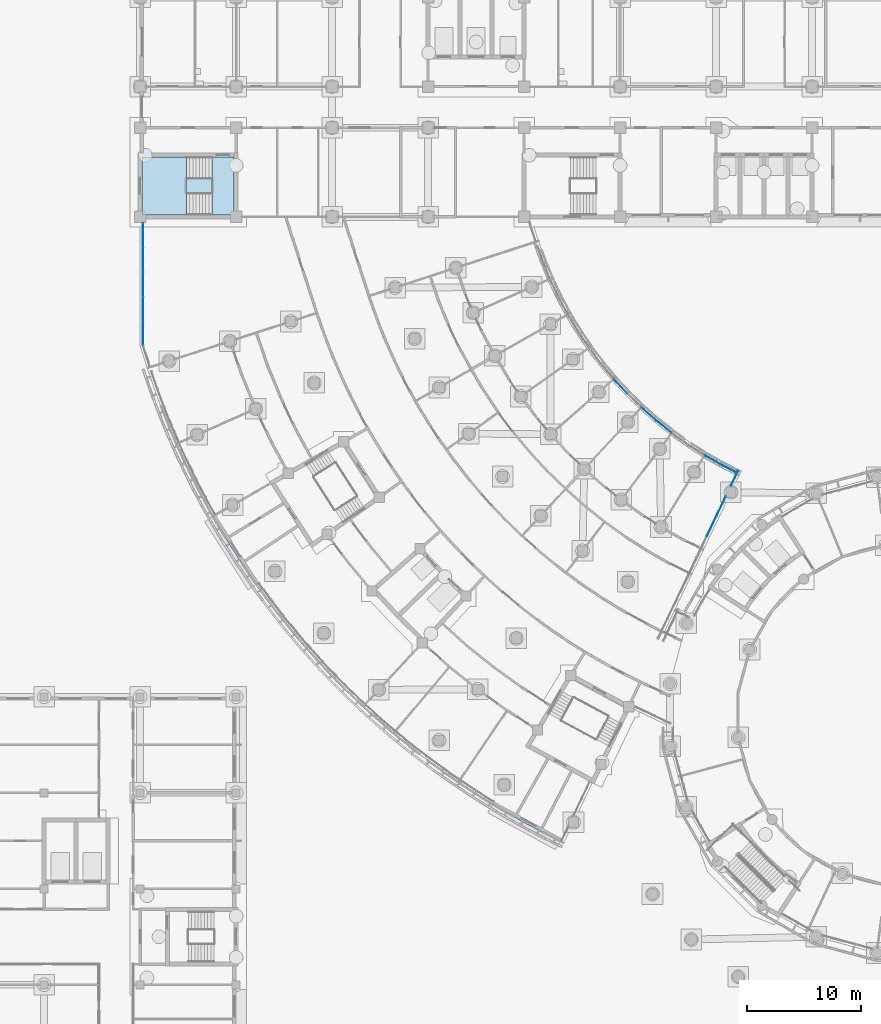
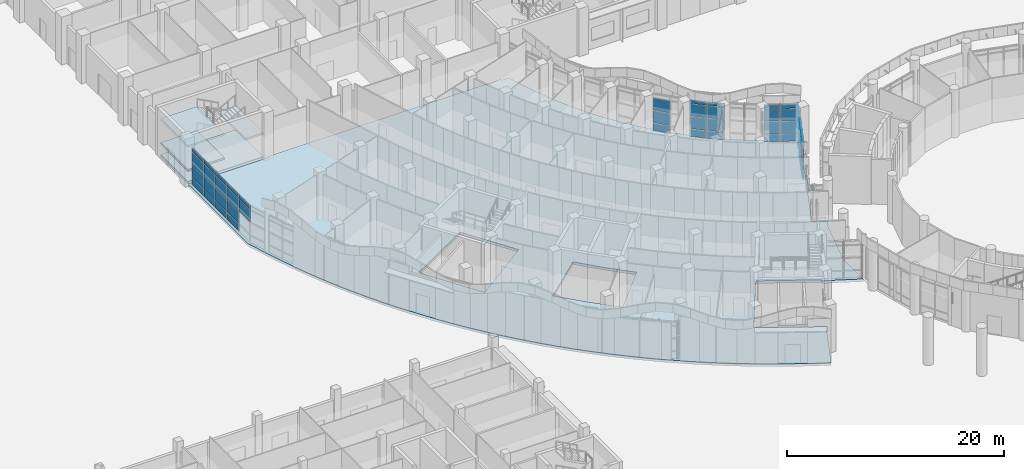
# One storey, part 44 of 146: 49 plates, 5 slabs, 7 elements without a shape of their own.
"""IFC4 building model written with IfcOpenShell, lengths in metres."""

from ifc_helpers import new_model, si_unit, direction, frame, origin, origin_2d, place, context, subcontext, project, spatial, polyline, rectangle, outline, extrude, material, layer, layer_set, type_object, element, aggregate, save


model = new_model("IFC4")

# Units and contexts
model_context = context("Model", 3, precision=1e-05, world=origin(), true_north=direction((0.0, 1.0)))
body_context = subcontext(model_context, "Body", "Model", "MODEL_VIEW")
ifc_project = project(units=[si_unit("LENGTHUNIT", "METRE"), si_unit("AREAUNIT", "SQUARE_METRE"), si_unit("VOLUMEUNIT", "CUBIC_METRE"), si_unit("PLANEANGLEUNIT", "RADIAN"), si_unit("MASSUNIT", "GRAM", prefix="KILO")], contexts=[model_context])

# Site, building, storey
site_placement = place(None, origin())
site = spatial("IfcSite", under=ifc_project, at=site_placement, CompositionType="ELEMENT")
building_placement = place(site_placement, origin())
building = spatial("IfcBuilding", under=site, at=building_placement, Name="Bougainvillea Quay General Hospital", CompositionType="ELEMENT")
storey_placement = place(building_placement, origin())
storey = spatial("IfcBuildingStorey", under=building, at=storey_placement, Name="L00", CompositionType="ELEMENT", Elevation=0.0)

# Curtain wall, plates
ifc_material_1 = material(Name="Aluminium curtain wall system, powder-coated glazed", Category="aluminium")
curtain_wall_type_1 = type_object("IfcCurtainWallType", Name="Unitised curtain wall CW-2157", PredefinedType="NOTDEFINED", material=ifc_material_1)
curtain_wall_1_placement = place(storey_placement, origin())
curtain_wall_1 = element("IfcCurtainWall", 1, at=curtain_wall_1_placement, inside=storey, type_object=curtain_wall_type_1, Name="CW-AE 00", PredefinedType="NOTDEFINED")
ifc_material_2 = material(Name="Insulated aluminium spandrel panel, white", Category="aluminium")
ifc_layer_1 = layer(ifc_material_2, 0.028076171875)
ifc_layer_set_1 = layer_set([ifc_layer_1], Name="Insulated aluminium spandrel panel, white")
plate_type_1 = type_object("IfcPlateType", Name="Insulated spandrel panel white 28", PredefinedType="CURTAIN_PANEL", material=ifc_layer_set_1)
plate_1_placement = place(storey_placement, frame((42.25, 115.986572265625, 0.06005859375), z_axis=(0.0, 0.0, 1.0), x_axis=(0.0, -1.0, 0.0)))
plate_1 = element("IfcPlate", 2, at=plate_1_placement, type_object=plate_type_1, Name="CW-AE spandrel panel 1.1", PredefinedType="CURTAIN_PANEL", context=body_context, shape_type="SweptSolid", body=[
    extrude(rectangle(XDim=2.06689453125, YDim=0.028076171875, at=origin_2d()), origin(), (0.0, 0.0, 1.0), 0.81005859375),
])
plate_2_placement = place(storey_placement, frame((42.25, 115.986572265625, 3.7802734375), z_axis=(0.0, 0.0, 1.0), x_axis=(0.0, -1.0, 0.0)))
plate_2 = element("IfcPlate", 3, at=plate_2_placement, type_object=plate_type_1, Name="CW-AE spandrel panel 1.4", PredefinedType="CURTAIN_PANEL", context=body_context, shape_type="SweptSolid", body=[
    extrude(rectangle(XDim=2.06689453125, YDim=0.028076171875, at=origin_2d()), origin(), (0.0, 0.0, 1.0), 0.409912109375),
])
plate_3_placement = place(storey_placement, frame((42.25, 113.8447265625, 0.06005859375), z_axis=(0.0, 0.0, 1.0), x_axis=(0.0, -1.0, 0.0)))
plate_3 = element("IfcPlate", 4, at=plate_3_placement, type_object=plate_type_1, Name="CW-AE spandrel panel 2.1", PredefinedType="CURTAIN_PANEL", context=body_context, shape_type="SweptSolid", body=[
    extrude(rectangle(XDim=2.0966796875, YDim=0.028076171875, at=origin_2d()), origin(), (0.0, 0.0, 1.0), 0.81005859375),
])
plate_4_placement = place(storey_placement, frame((42.25, 113.8447265625, 3.7802734375), z_axis=(0.0, 0.0, 1.0), x_axis=(0.0, -1.0, 0.0)))
plate_4 = element("IfcPlate", 5, at=plate_4_placement, type_object=plate_type_1, Name="CW-AE spandrel panel 2.4", PredefinedType="CURTAIN_PANEL", context=body_context, shape_type="SweptSolid", body=[
    extrude(rectangle(XDim=2.0966796875, YDim=0.028076171875, at=origin_2d()), origin(), (0.0, 0.0, 1.0), 0.409912109375),
])
plate_5_placement = place(storey_placement, frame((42.25, 111.68798828125, 0.06005859375), z_axis=(0.0, 0.0, 1.0), x_axis=(0.0, -1.0, 0.0)))
plate_5 = element("IfcPlate", 6, at=plate_5_placement, type_object=plate_type_1, Name="CW-AE spandrel panel 3.1", PredefinedType="CURTAIN_PANEL", context=body_context, shape_type="SweptSolid", body=[
    extrude(rectangle(XDim=2.0966796875, YDim=0.028076171875, at=origin_2d()), origin(), (0.0, 0.0, 1.0), 0.81005859375),
])
plate_6_placement = place(storey_placement, frame((42.25, 111.68798828125, 3.7802734375), z_axis=(0.0, 0.0, 1.0), x_axis=(0.0, -1.0, 0.0)))
plate_6 = element("IfcPlate", 7, at=plate_6_placement, type_object=plate_type_1, Name="CW-AE spandrel panel 3.4", PredefinedType="CURTAIN_PANEL", context=body_context, shape_type="SweptSolid", body=[
    extrude(rectangle(XDim=2.0966796875, YDim=0.028076171875, at=origin_2d()), origin(), (0.0, 0.0, 1.0), 0.409912109375),
])
plate_7_placement = place(storey_placement, frame((42.25, 109.53125, 0.06005859375), z_axis=(0.0, 0.0, 1.0), x_axis=(0.0, -1.0, 0.0)))
plate_7 = element("IfcPlate", 8, at=plate_7_placement, type_object=plate_type_1, Name="CW-AE spandrel panel 4.1", PredefinedType="CURTAIN_PANEL", context=body_context, shape_type="SweptSolid", body=[
    extrude(rectangle(XDim=2.0966796875, YDim=0.028076171875, at=origin_2d()), origin(), (0.0, 0.0, 1.0), 0.81005859375),
])
plate_8_placement = place(storey_placement, frame((42.25, 109.53125, 3.7802734375), z_axis=(0.0, 0.0, 1.0), x_axis=(0.0, -1.0, 0.0)))
plate_8 = element("IfcPlate", 9, at=plate_8_placement, type_object=plate_type_1, Name="CW-AE spandrel panel 4.4", PredefinedType="CURTAIN_PANEL", context=body_context, shape_type="SweptSolid", body=[
    extrude(rectangle(XDim=2.0966796875, YDim=0.028076171875, at=origin_2d()), origin(), (0.0, 0.0, 1.0), 0.409912109375),
])
plate_9_placement = place(storey_placement, frame((42.25, 107.389404296875, 3.7802734375), z_axis=(0.0, 0.0, 1.0), x_axis=(0.0, -1.0, 0.0)))
plate_9 = element("IfcPlate", 10, at=plate_9_placement, type_object=plate_type_1, Name="CW-AE spandrel panel 5.4", PredefinedType="CURTAIN_PANEL", context=body_context, shape_type="SweptSolid", body=[
    extrude(rectangle(XDim=2.06689453125, YDim=0.028076171875, at=origin_2d()), origin(), (0.0, 0.0, 1.0), 0.409912109375),
])

curtain_wall_type_2 = type_object("IfcCurtainWallType", Name="Unitised curtain wall CW-1982", PredefinedType="NOTDEFINED", material=ifc_material_1)
curtain_wall_2_placement = place(storey_placement, origin())
curtain_wall_2 = element("IfcCurtainWall", 11, at=curtain_wall_2_placement, inside=storey, type_object=curtain_wall_type_2, Name="CW-AE 00", PredefinedType="NOTDEFINED")
plate_10_placement = place(storey_placement, frame((91.994384765625, 90.508056640625, 0.06005859375), z_axis=(0.0, 0.0, 1.0), x_axis=(0.430563040838, 0.902560506484, 0.0)))
plate_10 = element("IfcPlate", 12, at=plate_10_placement, type_object=plate_type_1, Name="CW-AE spandrel panel 6.1", PredefinedType="CURTAIN_PANEL", context=body_context, shape_type="SweptSolid", body=[
    extrude(rectangle(XDim=1.92138671875, YDim=0.028076171875, at=origin_2d()), origin(), (0.0, 0.0, 1.0), 0.81005859375),
])
plate_11_placement = place(storey_placement, frame((91.994384765625, 90.508056640625, 3.7802734375), z_axis=(0.0, 0.0, 1.0), x_axis=(0.430563040838, 0.902560506484, 0.0)))
plate_11 = element("IfcPlate", 13, at=plate_11_placement, type_object=plate_type_1, Name="CW-AE spandrel panel 6.4", PredefinedType="CURTAIN_PANEL", context=body_context, shape_type="SweptSolid", body=[
    extrude(rectangle(XDim=1.92138671875, YDim=0.028076171875, at=origin_2d()), origin(), (0.0, 0.0, 1.0), 0.409912109375),
])
plate_12_placement = place(storey_placement, frame((92.8408203125, 92.28271484375, 0.06005859375), z_axis=(0.0, 0.0, 1.0), x_axis=(0.430563040838, 0.902560506484, 0.0)))
plate_12 = element("IfcPlate", 14, at=plate_12_placement, type_object=plate_type_1, Name="CW-AE spandrel panel 7.1", PredefinedType="CURTAIN_PANEL", context=body_context, shape_type="SweptSolid", body=[
    extrude(rectangle(XDim=1.891357421875, YDim=0.028076171875, at=origin_2d()), origin(), (0.0, 0.0, 1.0), 0.81005859375),
])
plate_13_placement = place(storey_placement, frame((92.8408203125, 92.28271484375, 3.7802734375), z_axis=(0.0, 0.0, 1.0), x_axis=(0.430563040838, 0.902560506484, 0.0)))
plate_13 = element("IfcPlate", 15, at=plate_13_placement, type_object=plate_type_1, Name="CW-AE spandrel panel 7.4", PredefinedType="CURTAIN_PANEL", context=body_context, shape_type="SweptSolid", body=[
    extrude(rectangle(XDim=1.891357421875, YDim=0.028076171875, at=origin_2d()), origin(), (0.0, 0.0, 1.0), 0.409912109375),
])

curtain_wall_type_3 = type_object("IfcCurtainWallType", Name="Unitised curtain wall CW-1530", PredefinedType="NOTDEFINED", material=ifc_material_1)
curtain_wall_3_placement = place(storey_placement, origin())
curtain_wall_3 = element("IfcCurtainWall", 16, at=curtain_wall_3_placement, inside=storey, type_object=curtain_wall_type_3, Name="CW-AE 01", PredefinedType="NOTDEFINED")
plate_14_placement = place(storey_placement, frame((94.008056640625, 94.729248046875, 0.06005859375), z_axis=(0.0, 0.0, 1.0), x_axis=(0.430563040838, 0.902560506484, 0.0)))
plate_14 = element("IfcPlate", 17, at=plate_14_placement, type_object=plate_type_1, Name="CW-AE spandrel panel 1.1", PredefinedType="CURTAIN_PANEL", context=body_context, shape_type="SweptSolid", body=[
    extrude(rectangle(XDim=1.409912109375, YDim=0.028076171875, at=origin_2d()), origin(), (0.0, 0.0, 1.0), 0.81005859375),
])
plate_15_placement = place(storey_placement, frame((94.008056640625, 94.729248046875, 3.7802734375), z_axis=(0.0, 0.0, 1.0), x_axis=(0.430563040838, 0.902560506484, 0.0)))
plate_15 = element("IfcPlate", 18, at=plate_15_placement, type_object=plate_type_1, Name="CW-AE spandrel panel 1.4", PredefinedType="CURTAIN_PANEL", context=body_context, shape_type="SweptSolid", body=[
    extrude(rectangle(XDim=1.409912109375, YDim=0.028076171875, at=origin_2d()), origin(), (0.0, 0.0, 1.0), 0.409912109375),
])

curtain_wall_type_4 = type_object("IfcCurtainWallType", Name="Unitised curtain wall CW-2100", PredefinedType="NOTDEFINED", material=ifc_material_1)
curtain_wall_4_placement = place(storey_placement, origin())
curtain_wall_4 = element("IfcCurtainWall", 19, at=curtain_wall_4_placement, inside=storey, type_object=curtain_wall_type_4, Name="CW-W01 a11b0", PredefinedType="NOTDEFINED")
plate_16_placement = place(storey_placement, frame((93.4384765625, 95.602294921875, 0.06005859375), z_axis=(0.0, 0.0, 1.0), x_axis=(-0.887958036873, 0.459924477228, 0.0)))
plate_16 = element("IfcPlate", 20, at=plate_16_placement, type_object=plate_type_1, Name="CW-W01 spandrel panel 1.1", PredefinedType="CURTAIN_PANEL", context=body_context, shape_type="SweptSolid", body=[
    extrude(rectangle(XDim=1.475830078125, YDim=0.028076171875, at=origin_2d()), origin(), (0.0, 0.0, 1.0), 0.81005859375),
])
plate_17_placement = place(storey_placement, frame((93.4384765625, 95.602294921875, 3.7802734375), z_axis=(0.0, 0.0, 1.0), x_axis=(-0.887958036873, 0.459924477228, 0.0)))
plate_17 = element("IfcPlate", 21, at=plate_17_placement, type_object=plate_type_1, Name="CW-W01 spandrel panel 1.4", PredefinedType="CURTAIN_PANEL", context=body_context, shape_type="SweptSolid", body=[
    extrude(rectangle(XDim=1.475830078125, YDim=0.028076171875, at=origin_2d()), origin(), (0.0, 0.0, 1.0), 0.409912109375),
])
plate_18_placement = place(storey_placement, frame((92.09130859375, 96.339599609375, 0.06005859375), z_axis=(0.0, 0.0, 1.0), x_axis=(-0.866007268476, 0.50003140996, 0.0)))
plate_18 = element("IfcPlate", 22, at=plate_18_placement, type_object=plate_type_1, Name="CW-W01 spandrel panel 2.1", PredefinedType="CURTAIN_PANEL", context=body_context, shape_type="SweptSolid", body=[
    extrude(rectangle(XDim=1.475830078125, YDim=0.028076171875, at=origin_2d()), origin(), (0.0, 0.0, 1.0), 0.81005859375),
])
plate_19_placement = place(storey_placement, frame((92.09130859375, 96.339599609375, 3.7802734375), z_axis=(0.0, 0.0, 1.0), x_axis=(-0.866007268476, 0.50003140996, 0.0)))
plate_19 = element("IfcPlate", 23, at=plate_19_placement, type_object=plate_type_1, Name="CW-W01 spandrel panel 2.4", PredefinedType="CURTAIN_PANEL", context=body_context, shape_type="SweptSolid", body=[
    extrude(rectangle(XDim=1.475830078125, YDim=0.028076171875, at=origin_2d()), origin(), (0.0, 0.0, 1.0), 0.409912109375),
])

curtain_wall_5_placement = place(storey_placement, origin())
curtain_wall_5 = element("IfcCurtainWall", 24, at=curtain_wall_5_placement, inside=storey, type_object=curtain_wall_type_4, Name="CW-W03 a11b2", PredefinedType="NOTDEFINED")
plate_20_placement = place(storey_placement, frame((87.838134765625, 99.242431640625, 0.06005859375), z_axis=(0.0, 0.0, 1.0), x_axis=(-0.781770850765, 0.623565824026, 0.0)))
plate_20 = element("IfcPlate", 25, at=plate_20_placement, type_object=plate_type_1, Name="CW-W03 spandrel panel 1.1", PredefinedType="CURTAIN_PANEL", context=body_context, shape_type="SweptSolid", body=[
    extrude(rectangle(XDim=1.64697265625, YDim=0.028076171875, at=origin_2d()), origin(), (0.0, 0.0, 1.0), 0.81005859375),
])
plate_21_placement = place(storey_placement, frame((87.838134765625, 99.242431640625, 3.7802734375), z_axis=(0.0, 0.0, 1.0), x_axis=(-0.781770850765, 0.623565824026, 0.0)))
plate_21 = element("IfcPlate", 26, at=plate_21_placement, type_object=plate_type_1, Name="CW-W03 spandrel panel 1.4", PredefinedType="CURTAIN_PANEL", context=body_context, shape_type="SweptSolid", body=[
    extrude(rectangle(XDim=1.64697265625, YDim=0.028076171875, at=origin_2d()), origin(), (0.0, 0.0, 1.0), 0.409912109375),
])
plate_22_placement = place(storey_placement, frame((86.531494140625, 100.33984375, 0.06005859375), z_axis=(0.0, 0.0, 1.0), x_axis=(-0.749152291145, 0.662397799417, 0.0)))
plate_22 = element("IfcPlate", 27, at=plate_22_placement, type_object=plate_type_1, Name="CW-W03 spandrel panel 2.1", PredefinedType="CURTAIN_PANEL", context=body_context, shape_type="SweptSolid", body=[
    extrude(rectangle(XDim=1.64697265625, YDim=0.028076171875, at=origin_2d()), origin(), (0.0, 0.0, 1.0), 0.81005859375),
])
plate_23_placement = place(storey_placement, frame((86.531494140625, 100.33984375, 3.7802734375), z_axis=(0.0, 0.0, 1.0), x_axis=(-0.749152291145, 0.662397799417, 0.0)))
plate_23 = element("IfcPlate", 28, at=plate_23_placement, type_object=plate_type_1, Name="CW-W03 spandrel panel 2.4", PredefinedType="CURTAIN_PANEL", context=body_context, shape_type="SweptSolid", body=[
    extrude(rectangle(XDim=1.64697265625, YDim=0.028076171875, at=origin_2d()), origin(), (0.0, 0.0, 1.0), 0.409912109375),
])

# Curtain wall, plate
curtain_wall_6_placement = place(storey_placement, origin())
curtain_wall_6 = element("IfcCurtainWall", 29, at=curtain_wall_6_placement, inside=storey, type_object=curtain_wall_type_4, Name="CW-W04 a11b3", PredefinedType="NOTDEFINED")
plate_24_placement = place(storey_placement, frame((84.049560546875, 102.767333984375, 0.06005859375), z_axis=(0.0, 0.0, 1.0), x_axis=(-0.678223800683, 0.734855411756, 0.0)))
plate_24 = element("IfcPlate", 30, at=plate_24_placement, type_object=plate_type_1, Name="CW-W04 spandrel panel 2.1", PredefinedType="CURTAIN_PANEL", context=body_context, shape_type="SweptSolid", body=[
    extrude(rectangle(XDim=1.64697265625, YDim=0.028076171875, at=origin_2d()), origin(), (0.0, 0.0, 1.0), 0.81005859375),
])

# Plate
ifc_material_3 = material(Name="Low-e laminated glass, solar control", Category="glass")
ifc_layer_2 = layer(ifc_material_3, 0.028076171875)
ifc_layer_set_2 = layer_set([ifc_layer_2], Name="Low-e laminated glass, solar control")
plate_type_2 = type_object("IfcPlateType", Name="Low-e laminated vision glass 28", PredefinedType="CURTAIN_PANEL", material=ifc_layer_set_2)
plate_25_placement = place(storey_placement, frame((42.25, 115.986572265625, 0.93017578125), z_axis=(0.0, 0.0, 1.0), x_axis=(0.0, -1.0, 0.0)))
plate_25 = element("IfcPlate", 31, at=plate_25_placement, type_object=plate_type_2, Name="CW-AE vision glass panel 1.2", PredefinedType="CURTAIN_PANEL", context=body_context, shape_type="SweptSolid", body=[
    extrude(rectangle(XDim=2.06689453125, YDim=0.028076171875, at=origin_2d()), origin(), (0.0, 0.0, 1.0), 1.364990234375),
])

plate_26_placement = place(storey_placement, frame((42.25, 115.986572265625, 2.35498046875), z_axis=(0.0, 0.0, 1.0), x_axis=(0.0, -1.0, 0.0)))
plate_26 = element("IfcPlate", 32, at=plate_26_placement, type_object=plate_type_2, Name="CW-AE vision glass panel 1.3", PredefinedType="CURTAIN_PANEL", context=body_context, shape_type="SweptSolid", body=[
    extrude(rectangle(XDim=2.06689453125, YDim=0.028076171875, at=origin_2d()), origin(), (0.0, 0.0, 1.0), 1.364990234375),
])

plate_27_placement = place(storey_placement, frame((42.25, 113.8447265625, 0.93017578125), z_axis=(0.0, 0.0, 1.0), x_axis=(0.0, -1.0, 0.0)))
plate_27 = element("IfcPlate", 33, at=plate_27_placement, type_object=plate_type_2, Name="CW-AE vision glass panel 2.2", PredefinedType="CURTAIN_PANEL", context=body_context, shape_type="SweptSolid", body=[
    extrude(rectangle(XDim=2.0966796875, YDim=0.028076171875, at=origin_2d()), origin(), (0.0, 0.0, 1.0), 1.364990234375),
])

plate_28_placement = place(storey_placement, frame((42.25, 113.8447265625, 2.35498046875), z_axis=(0.0, 0.0, 1.0), x_axis=(0.0, -1.0, 0.0)))
plate_28 = element("IfcPlate", 34, at=plate_28_placement, type_object=plate_type_2, Name="CW-AE vision glass panel 2.3", PredefinedType="CURTAIN_PANEL", context=body_context, shape_type="SweptSolid", body=[
    extrude(rectangle(XDim=2.0966796875, YDim=0.028076171875, at=origin_2d()), origin(), (0.0, 0.0, 1.0), 1.364990234375),
])

plate_29_placement = place(storey_placement, frame((42.25, 111.68798828125, 0.93017578125), z_axis=(0.0, 0.0, 1.0), x_axis=(0.0, -1.0, 0.0)))
plate_29 = element("IfcPlate", 35, at=plate_29_placement, type_object=plate_type_2, Name="CW-AE vision glass panel 3.2", PredefinedType="CURTAIN_PANEL", context=body_context, shape_type="SweptSolid", body=[
    extrude(rectangle(XDim=2.0966796875, YDim=0.028076171875, at=origin_2d()), origin(), (0.0, 0.0, 1.0), 1.364990234375),
])

plate_30_placement = place(storey_placement, frame((42.25, 111.68798828125, 2.35498046875), z_axis=(0.0, 0.0, 1.0), x_axis=(0.0, -1.0, 0.0)))
plate_30 = element("IfcPlate", 36, at=plate_30_placement, type_object=plate_type_2, Name="CW-AE vision glass panel 3.3", PredefinedType="CURTAIN_PANEL", context=body_context, shape_type="SweptSolid", body=[
    extrude(rectangle(XDim=2.0966796875, YDim=0.028076171875, at=origin_2d()), origin(), (0.0, 0.0, 1.0), 1.364990234375),
])

plate_31_placement = place(storey_placement, frame((42.25, 109.53125, 0.93017578125), z_axis=(0.0, 0.0, 1.0), x_axis=(0.0, -1.0, 0.0)))
plate_31 = element("IfcPlate", 37, at=plate_31_placement, type_object=plate_type_2, Name="CW-AE vision glass panel 4.2", PredefinedType="CURTAIN_PANEL", context=body_context, shape_type="SweptSolid", body=[
    extrude(rectangle(XDim=2.0966796875, YDim=0.028076171875, at=origin_2d()), origin(), (0.0, 0.0, 1.0), 1.364990234375),
])

plate_32_placement = place(storey_placement, frame((42.25, 109.53125, 2.35498046875), z_axis=(0.0, 0.0, 1.0), x_axis=(0.0, -1.0, 0.0)))
plate_32 = element("IfcPlate", 38, at=plate_32_placement, type_object=plate_type_2, Name="CW-AE vision glass panel 4.3", PredefinedType="CURTAIN_PANEL", context=body_context, shape_type="SweptSolid", body=[
    extrude(rectangle(XDim=2.0966796875, YDim=0.028076171875, at=origin_2d()), origin(), (0.0, 0.0, 1.0), 1.364990234375),
])

plate_33_placement = place(storey_placement, frame((42.25, 107.389404296875, 2.35498046875), z_axis=(0.0, 0.0, 1.0), x_axis=(0.0, -1.0, 0.0)))
plate_33 = element("IfcPlate", 39, at=plate_33_placement, type_object=plate_type_2, Name="CW-AE vision glass panel 5.3", PredefinedType="CURTAIN_PANEL", context=body_context, shape_type="SweptSolid", body=[
    extrude(rectangle(XDim=2.06689453125, YDim=0.028076171875, at=origin_2d()), origin(), (0.0, 0.0, 1.0), 1.364990234375),
])

aggregate(curtain_wall_1, [plate_1, plate_25, plate_26, plate_2, plate_3, plate_27, plate_28, plate_4, plate_5, plate_29, plate_30, plate_6, plate_7, plate_31, plate_32, plate_8, plate_33, plate_9])

plate_34_placement = place(storey_placement, frame((91.994384765625, 90.508056640625, 0.93017578125), z_axis=(0.0, 0.0, 1.0), x_axis=(0.430563040838, 0.902560506484, 0.0)))
plate_34 = element("IfcPlate", 40, at=plate_34_placement, type_object=plate_type_2, Name="CW-AE vision glass panel 6.2", PredefinedType="CURTAIN_PANEL", context=body_context, shape_type="SweptSolid", body=[
    extrude(rectangle(XDim=1.92138671875, YDim=0.028076171875, at=origin_2d()), origin(), (0.0, 0.0, 1.0), 1.364990234375),
])

plate_35_placement = place(storey_placement, frame((91.994384765625, 90.508056640625, 2.35498046875), z_axis=(0.0, 0.0, 1.0), x_axis=(0.430563040838, 0.902560506484, 0.0)))
plate_35 = element("IfcPlate", 41, at=plate_35_placement, type_object=plate_type_2, Name="CW-AE vision glass panel 6.3", PredefinedType="CURTAIN_PANEL", context=body_context, shape_type="SweptSolid", body=[
    extrude(rectangle(XDim=1.92138671875, YDim=0.028076171875, at=origin_2d()), origin(), (0.0, 0.0, 1.0), 1.364990234375),
])

plate_36_placement = place(storey_placement, frame((92.8408203125, 92.28271484375, 0.93017578125), z_axis=(0.0, 0.0, 1.0), x_axis=(0.430563040838, 0.902560506484, 0.0)))
plate_36 = element("IfcPlate", 42, at=plate_36_placement, type_object=plate_type_2, Name="CW-AE vision glass panel 7.2", PredefinedType="CURTAIN_PANEL", context=body_context, shape_type="SweptSolid", body=[
    extrude(rectangle(XDim=1.891357421875, YDim=0.028076171875, at=origin_2d()), origin(), (0.0, 0.0, 1.0), 1.364990234375),
])

plate_37_placement = place(storey_placement, frame((92.8408203125, 92.28271484375, 2.35498046875), z_axis=(0.0, 0.0, 1.0), x_axis=(0.430563040838, 0.902560506484, 0.0)))
plate_37 = element("IfcPlate", 43, at=plate_37_placement, type_object=plate_type_2, Name="CW-AE vision glass panel 7.3", PredefinedType="CURTAIN_PANEL", context=body_context, shape_type="SweptSolid", body=[
    extrude(rectangle(XDim=1.891357421875, YDim=0.028076171875, at=origin_2d()), origin(), (0.0, 0.0, 1.0), 1.364990234375),
])

aggregate(curtain_wall_2, [plate_10, plate_34, plate_35, plate_11, plate_12, plate_36, plate_37, plate_13])

plate_38_placement = place(storey_placement, frame((94.008056640625, 94.729248046875, 0.93017578125), z_axis=(0.0, 0.0, 1.0), x_axis=(0.430563040838, 0.902560506484, 0.0)))
plate_38 = element("IfcPlate", 44, at=plate_38_placement, type_object=plate_type_2, Name="CW-AE vision glass panel 1.2", PredefinedType="CURTAIN_PANEL", context=body_context, shape_type="SweptSolid", body=[
    extrude(rectangle(XDim=1.409912109375, YDim=0.028076171875, at=origin_2d()), origin(), (0.0, 0.0, 1.0), 1.364990234375),
])

plate_39_placement = place(storey_placement, frame((94.008056640625, 94.729248046875, 2.35498046875), z_axis=(0.0, 0.0, 1.0), x_axis=(0.430563040838, 0.902560506484, 0.0)))
plate_39 = element("IfcPlate", 45, at=plate_39_placement, type_object=plate_type_2, Name="CW-AE vision glass panel 1.3", PredefinedType="CURTAIN_PANEL", context=body_context, shape_type="SweptSolid", body=[
    extrude(rectangle(XDim=1.409912109375, YDim=0.028076171875, at=origin_2d()), origin(), (0.0, 0.0, 1.0), 1.364990234375),
])

aggregate(curtain_wall_3, [plate_14, plate_38, plate_39, plate_15])

plate_40_placement = place(storey_placement, frame((93.4384765625, 95.602294921875, 0.93017578125), z_axis=(0.0, 0.0, 1.0), x_axis=(-0.887958036873, 0.459924477228, 0.0)))
plate_40 = element("IfcPlate", 46, at=plate_40_placement, type_object=plate_type_2, Name="CW-W01 vision glass panel 1.2", PredefinedType="CURTAIN_PANEL", context=body_context, shape_type="SweptSolid", body=[
    extrude(rectangle(XDim=1.475830078125, YDim=0.028076171875, at=origin_2d()), origin(), (0.0, 0.0, 1.0), 1.364990234375),
])

plate_41_placement = place(storey_placement, frame((93.4384765625, 95.602294921875, 2.35498046875), z_axis=(0.0, 0.0, 1.0), x_axis=(-0.887958036873, 0.459924477228, 0.0)))
plate_41 = element("IfcPlate", 47, at=plate_41_placement, type_object=plate_type_2, Name="CW-W01 vision glass panel 1.3", PredefinedType="CURTAIN_PANEL", context=body_context, shape_type="SweptSolid", body=[
    extrude(rectangle(XDim=1.475830078125, YDim=0.028076171875, at=origin_2d()), origin(), (0.0, 0.0, 1.0), 1.364990234375),
])

plate_42_placement = place(storey_placement, frame((92.09130859375, 96.339599609375, 0.93017578125), z_axis=(0.0, 0.0, 1.0), x_axis=(-0.866007268476, 0.50003140996, 0.0)))
plate_42 = element("IfcPlate", 48, at=plate_42_placement, type_object=plate_type_2, Name="CW-W01 vision glass panel 2.2", PredefinedType="CURTAIN_PANEL", context=body_context, shape_type="SweptSolid", body=[
    extrude(rectangle(XDim=1.475830078125, YDim=0.028076171875, at=origin_2d()), origin(), (0.0, 0.0, 1.0), 1.364990234375),
])

plate_43_placement = place(storey_placement, frame((92.09130859375, 96.339599609375, 2.35498046875), z_axis=(0.0, 0.0, 1.0), x_axis=(-0.866007268476, 0.50003140996, 0.0)))
plate_43 = element("IfcPlate", 49, at=plate_43_placement, type_object=plate_type_2, Name="CW-W01 vision glass panel 2.3", PredefinedType="CURTAIN_PANEL", context=body_context, shape_type="SweptSolid", body=[
    extrude(rectangle(XDim=1.475830078125, YDim=0.028076171875, at=origin_2d()), origin(), (0.0, 0.0, 1.0), 1.364990234375),
])

aggregate(curtain_wall_4, [plate_16, plate_40, plate_41, plate_17, plate_18, plate_42, plate_43, plate_19])

plate_44_placement = place(storey_placement, frame((87.838134765625, 99.242431640625, 0.93017578125), z_axis=(0.0, 0.0, 1.0), x_axis=(-0.781770850765, 0.623565824026, 0.0)))
plate_44 = element("IfcPlate", 50, at=plate_44_placement, type_object=plate_type_2, Name="CW-W03 vision glass panel 1.2", PredefinedType="CURTAIN_PANEL", context=body_context, shape_type="SweptSolid", body=[
    extrude(rectangle(XDim=1.64697265625, YDim=0.028076171875, at=origin_2d()), origin(), (0.0, 0.0, 1.0), 1.364990234375),
])

plate_45_placement = place(storey_placement, frame((87.838134765625, 99.242431640625, 2.35498046875), z_axis=(0.0, 0.0, 1.0), x_axis=(-0.781770850765, 0.623565824026, 0.0)))
plate_45 = element("IfcPlate", 51, at=plate_45_placement, type_object=plate_type_2, Name="CW-W03 vision glass panel 1.3", PredefinedType="CURTAIN_PANEL", context=body_context, shape_type="SweptSolid", body=[
    extrude(rectangle(XDim=1.64697265625, YDim=0.028076171875, at=origin_2d()), origin(), (0.0, 0.0, 1.0), 1.364990234375),
])

plate_46_placement = place(storey_placement, frame((86.531494140625, 100.33984375, 0.93017578125), z_axis=(0.0, 0.0, 1.0), x_axis=(-0.749152291145, 0.662397799417, 0.0)))
plate_46 = element("IfcPlate", 52, at=plate_46_placement, type_object=plate_type_2, Name="CW-W03 vision glass panel 2.2", PredefinedType="CURTAIN_PANEL", context=body_context, shape_type="SweptSolid", body=[
    extrude(rectangle(XDim=1.64697265625, YDim=0.028076171875, at=origin_2d()), origin(), (0.0, 0.0, 1.0), 1.364990234375),
])

plate_47_placement = place(storey_placement, frame((86.531494140625, 100.33984375, 2.35498046875), z_axis=(0.0, 0.0, 1.0), x_axis=(-0.749152291145, 0.662397799417, 0.0)))
plate_47 = element("IfcPlate", 53, at=plate_47_placement, type_object=plate_type_2, Name="CW-W03 vision glass panel 2.3", PredefinedType="CURTAIN_PANEL", context=body_context, shape_type="SweptSolid", body=[
    extrude(rectangle(XDim=1.64697265625, YDim=0.028076171875, at=origin_2d()), origin(), (0.0, 0.0, 1.0), 1.364990234375),
])

aggregate(curtain_wall_5, [plate_20, plate_44, plate_45, plate_21, plate_22, plate_46, plate_47, plate_23])

plate_48_placement = place(storey_placement, frame((84.049560546875, 102.767333984375, 0.93017578125), z_axis=(0.0, 0.0, 1.0), x_axis=(-0.678223800683, 0.734855411756, 0.0)))
plate_48 = element("IfcPlate", 54, at=plate_48_placement, type_object=plate_type_2, Name="CW-W04 vision glass panel 2.2", PredefinedType="CURTAIN_PANEL", context=body_context, shape_type="SweptSolid", body=[
    extrude(rectangle(XDim=1.64697265625, YDim=0.028076171875, at=origin_2d()), origin(), (0.0, 0.0, 1.0), 1.364990234375),
])

plate_49_placement = place(storey_placement, frame((84.049560546875, 102.767333984375, 2.35498046875), z_axis=(0.0, 0.0, 1.0), x_axis=(-0.678223800683, 0.734855411756, 0.0)))
plate_49 = element("IfcPlate", 55, at=plate_49_placement, type_object=plate_type_2, Name="CW-W04 vision glass panel 2.3", PredefinedType="CURTAIN_PANEL", context=body_context, shape_type="SweptSolid", body=[
    extrude(rectangle(XDim=1.64697265625, YDim=0.028076171875, at=origin_2d()), origin(), (0.0, 0.0, 1.0), 1.364990234375),
])

aggregate(curtain_wall_6, [plate_24, plate_48, plate_49])

# Slabs
ifc_material_4 = material(Name="Concrete C35", Category="concrete")
ifc_layer_3 = layer(ifc_material_4, 0.300048828125)
ifc_layer_set_3 = layer_set([ifc_layer_3], Name="Concrete C35")
slab_type_1 = type_object("IfcSlabType", Name="RC FLAT SLAB 300 C35 GROUND", PredefinedType="BASESLAB", material=ifc_layer_set_3)
slab_1_placement = place(storey_placement, frame((0.0, 0.0, -0.300048828125)))
element("IfcSlab", 56, at=slab_1_placement, inside=storey, type_object=slab_type_1, Name="Slab S1 L00", PredefinedType="BASESLAB", context=body_context, shape_type="SweptSolid", body=[
    extrude(outline(polyline([(42.175048828125, 117.77490234375), (50.22509765625, 117.77490234375), (50.22509765625, 122.824951171875), (42.175048828125, 122.824951171875), (42.175048828125, 117.77490234375)])), origin(), (0.0, 0.0, 1.0), 0.300048828125),
])
slab_2_placement = place(storey_placement, frame((0.0, 0.0, -0.300048828125)))
element("IfcSlab", 57, at=slab_2_placement, inside=storey, type_object=slab_type_1, Name="Slab S1 L00", PredefinedType="BASESLAB", context=body_context, shape_type="SweptSolid", body=[
    extrude(outline(polyline([(75.993896484375, 64.376953125), (77.52001953125, 63.5791015625), (79.06396484375, 62.819091796875), (81.572021484375, 68.076904296875), (81.413818359375, 68.15234375), (81.490966796875, 68.314453125), (81.409912109375, 68.164306640625), (76.009765625, 71.084716796875), (76.0908203125, 71.23486328125), (75.99755859375, 71.08154296875), (75.698486328125, 71.263427734375), (79.62255859375, 77.71337890625), (79.916015625, 77.539794921875), (84.67431640625, 74.96630859375), (84.980224609375, 74.815673828125), (84.905029296875, 74.65771484375), (88.3798828125, 73.0), (88.3798828125, 76.740966796875), (89.799072265625, 82.035888671875), (90.217041015625, 82.760009765625), (88.8798828125, 83.39794921875), (87.528076171875, 80.56494140625), (94.56298828125, 95.31201171875), (93.81201171875, 95.680908203125), (93.072021484375, 96.069091796875), (92.340087890625, 96.47509765625), (91.618896484375, 96.89794921875), (90.908935546875, 97.339111328125), (90.2099609375, 97.798095703125), (89.52197265625, 98.27294921875), (88.845947265625, 98.764892578125), (88.18310546875, 99.27392578125), (87.531982421875, 99.799072265625), (86.89404296875, 100.340087890625), (86.27001953125, 100.89599609375), (85.658935546875, 101.468017578125), (85.06298828125, 102.053955078125), (84.48193359375, 102.655029296875), (83.9150390625, 103.27001953125), (83.364013671875, 103.89794921875), (82.827880859375, 104.5400390625), (82.30810546875, 105.195068359375), (81.804931640625, 105.863037109375), (81.318115234375, 106.54296875), (80.847900390625, 107.23388671875), (80.39501953125, 107.93701171875), (79.9599609375, 108.65087890625), (79.5419921875, 109.375), (79.14208984375, 110.10888671875), (78.760009765625, 110.85302734375), (78.39697265625, 111.60693359375), (78.052001953125, 112.367919921875), (77.72705078125, 113.137939453125), (77.419921875, 113.916015625), (77.132080078125, 114.700927734375), (76.864013671875, 115.492919921875), (76.23681640625, 117.425048828125), (75.77490234375, 117.425048828125), (75.425048828125, 117.425048828125), (75.425048828125, 117.60009765625), (50.574951171875, 117.60009765625), (50.574951171875, 117.425048828125), (50.22509765625, 117.425048828125), (42.175048828125, 117.425048828125), (42.0, 117.425048828125), (42.0, 106.2958984375), (42.6259765625, 104.368896484375), (43.177978515625, 102.738037109375), (43.77001953125, 101.1220703125), (44.402099609375, 99.52001953125), (45.072021484375, 97.93505859375), (45.781982421875, 96.365966796875), (46.530029296875, 94.81591796875), (47.31591796875, 93.283935546875), (48.138916015625, 91.77197265625), (48.9990234375, 90.281005859375), (49.89599609375, 88.81201171875), (50.827880859375, 87.364013671875), (51.7958984375, 85.94091796875), (52.798095703125, 84.541015625), (53.8349609375, 83.1669921875), (54.905029296875, 81.818115234375), (56.008056640625, 80.49609375), (57.14306640625, 79.201904296875), (58.30908203125, 77.93603515625), (59.507080078125, 76.698974609375), (60.73388671875, 75.491943359375), (61.990966796875, 74.31591796875), (63.27587890625, 73.169921875), (64.589111328125, 72.056884765625), (65.928955078125, 70.97607421875), (67.294921875, 69.928955078125), (68.68701171875, 68.9150390625), (70.10302734375, 67.93603515625), (71.5419921875, 66.991943359375), (73.0048828125, 66.083984375), (74.489013671875, 65.2119140625), (75.993896484375, 64.376953125)]), holes=[polyline([(66.74267578125, 88.53662109375), (68.575927734375, 86.553466796875), (70.5048828125, 84.661865234375), (70.75634765625, 84.425048828125), (66.83984375, 80.214599609375), (66.583740234375, 80.453125), (66.704345703125, 80.582763671875), (66.58349609375, 80.459228515625), (64.4501953125, 82.546875), (62.427001953125, 84.73974609375), (62.553955078125, 84.85693359375), (62.4208984375, 84.739990234375), (62.18994140625, 85.003173828125), (66.51318359375, 88.794921875), (66.74267578125, 88.53662109375)]), polyline([(62.9736328125, 93.304443359375), (63.16796875, 93.02392578125), (57.016845703125, 88.64599609375), (56.81396484375, 88.93115234375), (56.960205078125, 89.03515625), (56.81640625, 88.943359375), (53.5146484375, 94.119384765625), (53.658447265625, 94.211181640625), (53.50244140625, 94.122314453125), (53.329345703125, 94.426513671875), (59.8916015625, 98.15869140625), (60.06396484375, 97.8642578125), (62.9736328125, 93.304443359375)])]), origin(), (0.0, 0.0, 1.0), 0.300048828125),
])

# Stair, slabs
stair_type = type_object("IfcStairType", Name="Stair half-turn 1925 wide", PredefinedType="HALF_TURN_STAIR", material=ifc_material_4)
stair_placement = place(storey_placement, origin())
stair = element("IfcStair", 58, at=stair_placement, inside=storey, type_object=stair_type, Name="L00 stair ST-B1", PredefinedType="HALF_TURN_STAIR")
ifc_layer_4 = layer(ifc_material_4, 0.199951171875)
ifc_layer_set_4 = layer_set([ifc_layer_4], Name="Concrete C35")
slab_type_2 = type_object("IfcSlabType", Name="Stair landing 200", PredefinedType="LANDING", material=ifc_layer_set_4)
slab_3_placement = place(storey_placement, frame((0.0, 0.0, 1.14990234375)))
slab_3 = element("IfcSlab", 59, at=slab_3_placement, type_object=slab_type_2, Name="ST-B1 landing 1", PredefinedType="LANDING", context=body_context, shape_type="SweptSolid", body=[
    extrude(outline(polyline([(46.06005859375, 122.824951171875), (42.175048828125, 122.824951171875), (42.175048828125, 117.77490234375), (46.06005859375, 117.77490234375), (46.06005859375, 122.824951171875)])), origin(), (0.0, 0.0, 1.0), 0.2001953125),
])
slab_4_placement = place(storey_placement, frame((0.0, 0.0, 2.5)))
slab_4 = element("IfcSlab", 60, at=slab_4_placement, type_object=slab_type_2, Name="ST-B1 landing 2", PredefinedType="LANDING", context=body_context, shape_type="SweptSolid", body=[
    extrude(outline(polyline([(50.22509765625, 122.824951171875), (48.300048828125, 122.824951171875), (48.300048828125, 117.77490234375), (50.22509765625, 117.77490234375), (50.22509765625, 122.824951171875)])), origin(), (0.0, 0.0, 1.0), 0.199951171875),
])
slab_5_placement = place(storey_placement, frame((0.0, 0.0, 3.85009765625)))
slab_5 = element("IfcSlab", 61, at=slab_5_placement, type_object=slab_type_2, Name="ST-B1 landing 3", PredefinedType="LANDING", context=body_context, shape_type="SweptSolid", body=[
    extrude(outline(polyline([(46.06005859375, 122.824951171875), (42.175048828125, 122.824951171875), (42.175048828125, 117.77490234375), (46.06005859375, 117.77490234375), (46.06005859375, 122.824951171875)])), origin(), (0.0, 0.0, 1.0), 0.199951171875),
])
aggregate(stair, [slab_3, slab_4, slab_5])

save(model, "model.ifc")
